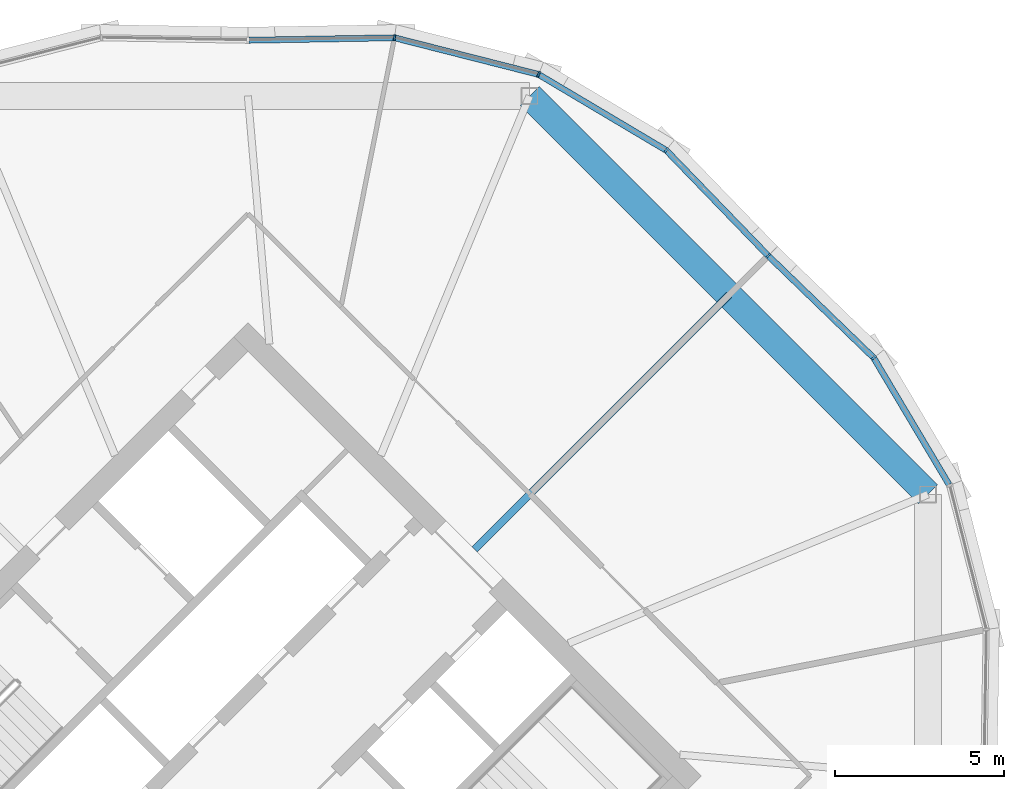
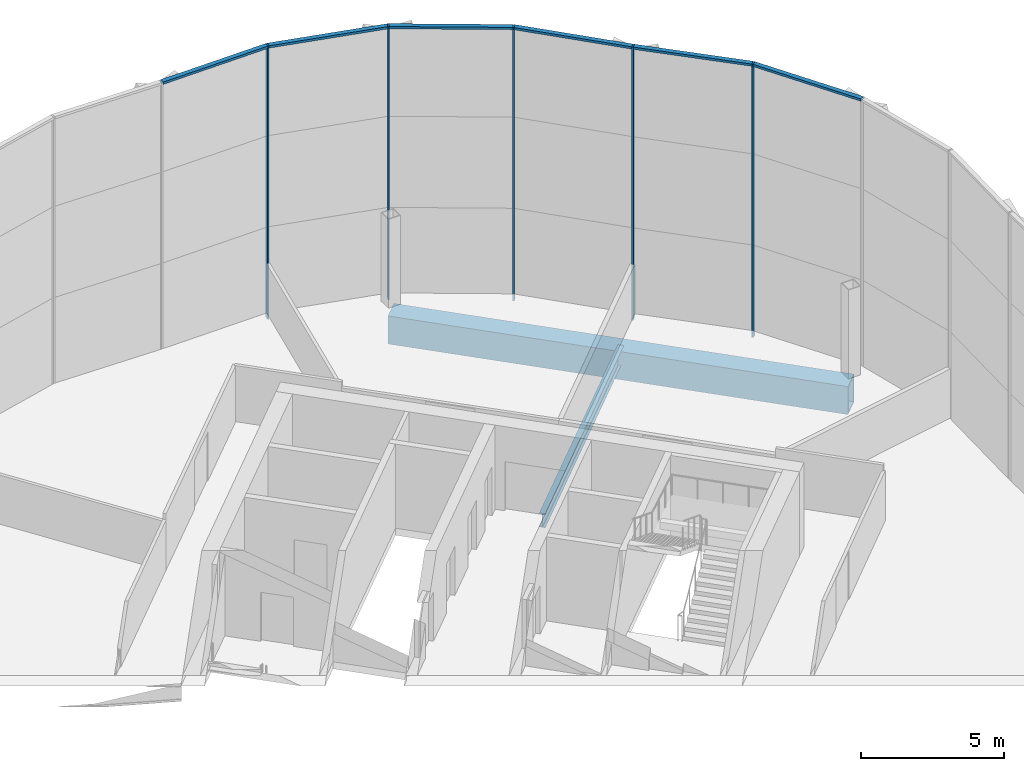
# One storey, part 12 of 23: 11 members, 2 beams, 2 elements without a shape of their own.
"""IFC4 building model written with IfcOpenShell, lengths in metres."""

import ifcopenshell
import ifcopenshell.guid

model = None  # the IFC model being written
_history = None  # IfcOwnerHistory: only IFC2X3 demands one
_inside = {}  # id of a spatial element -> (the spatial element, [elements in it])
_under = {}  # id of a project, library or spatial element -> (it, [spatial elements below it])
_declared = {}  # id of a project -> (the project, [libraries it declares])
_typed = {}  # id of a type object -> (the type object, [elements of that type])
_made_of = {}  # id of a material, layer set ... -> (it, [elements and type objects made of it])


def new_model(schema):
    """Start an empty IFC model of exactly this schema.

    Asked for "IFC4X3", IfcOpenShell would pick the latest addendum, in which some entities
    have other attributes; the version numbers below select the first issue.
    IFC2X3 requires an IfcOwnerHistory on every rooted entity: one is made here for all.
    """
    global model, _history
    if schema == "IFC4X3":
        model = ifcopenshell.file(schema_version=(4, 3, 0, 0))
    else:
        model = ifcopenshell.file(schema=schema)
    _inside.clear()
    _under.clear()
    _declared.clear()
    _typed.clear()
    _made_of.clear()
    _history = None
    if model.schema == "IFC2X3":
        org = make("IfcOrganization", Name="unknown")
        user = make(
            "IfcPersonAndOrganization",
            ThePerson=make("IfcPerson", FamilyName="unknown"),
            TheOrganization=org,
        )
        app = make(
            "IfcApplication",
            ApplicationDeveloper=org,
            Version="unknown",
            ApplicationFullName="unknown",
            ApplicationIdentifier="unknown",
        )
        _history = make(
            "IfcOwnerHistory",
            OwningUser=user,
            OwningApplication=app,
            ChangeAction="ADDED",
            CreationDate=0,
        )
    return model


def make(cls, **values):
    """One entity of the class cls with the attributes given. An attribute that is None is left unset."""
    return model.create_entity(
        cls, **{name: value for name, value in values.items() if value is not None}
    )


def rooted(cls, **values):
    """An entity with a GlobalId (a new one), such as an element, a storey or a relation."""
    return make(cls, GlobalId=ifcopenshell.guid.new(), OwnerHistory=_history, **values)


def si_unit(unit_type, name, prefix=None):
    """IfcSIUnit, for example si_unit("LENGTHUNIT", "METRE", prefix="MILLI")."""
    return make("IfcSIUnit", UnitType=unit_type, Prefix=prefix, Name=name)


def assignment(units):
    """IfcUnitAssignment: the units of a project."""
    return None if units is None else make("IfcUnitAssignment", Units=units)


def point(xyz):
    """IfcCartesianPoint."""
    return None if xyz is None else make("IfcCartesianPoint", Coordinates=xyz)


def direction(xyz):
    """IfcDirection."""
    return None if xyz is None else make("IfcDirection", DirectionRatios=xyz)


def frame(location, z_axis=None, x_axis=None):
    """IfcAxis2Placement3D, a coordinate frame: its origin and axes. An axis left out is left unset."""
    return make(
        "IfcAxis2Placement3D",
        Location=point(location),
        Axis=direction(z_axis),
        RefDirection=direction(x_axis),
    )


def frame_2d(location, x_axis=None):
    """IfcAxis2Placement2D, a coordinate frame in the plane: its origin and x axis."""
    return make(
        "IfcAxis2Placement2D", Location=point(location), RefDirection=direction(x_axis)
    )


def origin():
    """The frame at (0, 0, 0) with its axes left unset."""
    return frame((0.0, 0.0, 0.0))


def origin_2d():
    """The frame at (0, 0) in the plane with its x axis left unset."""
    return frame_2d((0.0, 0.0))


def place(relative_to, where):
    """IfcLocalPlacement: puts the frame where relative to a parent placement (None: the world)."""
    return make(
        "IfcLocalPlacement", PlacementRelTo=relative_to, RelativePlacement=where
    )


def context(
    kind, dimensions, precision=None, world=None, true_north=None, identifier=None
):
    """IfcGeometricRepresentationContext, for example the 3D "Model" context."""
    return make(
        "IfcGeometricRepresentationContext",
        ContextIdentifier=identifier,
        ContextType=kind,
        CoordinateSpaceDimension=dimensions,
        Precision=precision,
        WorldCoordinateSystem=world,
        TrueNorth=true_north,
    )


def subcontext(parent, identifier, kind, view, scale=None):
    """IfcGeometricRepresentationSubContext, for example "Body" below "Model"."""
    return make(
        "IfcGeometricRepresentationSubContext",
        ContextIdentifier=identifier,
        ContextType=kind,
        ParentContext=parent,
        TargetScale=scale,
        TargetView=view,
    )


def project(units=None, contexts=None):
    """IfcProject with its units and contexts."""
    return rooted(
        "IfcProject",
        Name="project",
        RepresentationContexts=contexts,
        UnitsInContext=assignment(units),
    )


def spatial(cls, under=None, at=None, **own):
    """A site, building, storey or space (cls), placed at a placement, below another one or the project."""
    s = rooted(cls, ObjectPlacement=at, **own)
    if under is not None:
        _under.setdefault(under.id(), (under, []))[1].append(s)
    return s


def profile(cls, at=None, kind="AREA", **sizes):
    """A parametric profile (cls). Its sizes go by their IFC names, for example OverallWidth=200.0."""
    return make(cls, ProfileType=kind, Position=at, **sizes)


def rectangle(**sizes):
    """IfcRectangleProfileDef."""
    return profile("IfcRectangleProfileDef", **sizes)


def hollow_rectangle(**sizes):
    """IfcRectangleHollowProfileDef."""
    return profile("IfcRectangleHollowProfileDef", **sizes)


def i_section(**sizes):
    """IfcIShapeProfileDef."""
    return profile("IfcIShapeProfileDef", **sizes)


def extrude(swept, where, along, depth):
    """IfcExtrudedAreaSolid: the profile swept, set in the frame where, extruded along a direction by depth."""
    return make(
        "IfcExtrudedAreaSolid",
        SweptArea=swept,
        Position=where,
        ExtrudedDirection=direction(along),
        Depth=depth,
    )


def shape(context_of_items, identifier, shape_type, items):
    """IfcShapeRepresentation: the items that make up one representation, for example the "Body"."""
    return make(
        "IfcShapeRepresentation",
        ContextOfItems=context_of_items,
        RepresentationIdentifier=identifier,
        RepresentationType=shape_type,
        Items=items,
    )


def material(Name=None, Category=None):
    """IfcMaterial."""
    return make("IfcMaterial", Name=Name, Category=Category)


def material_profile(
    of_material, cross_section, Name=None, Category=None, Priority=None
):
    """IfcMaterialProfile: a cross section and its material."""
    return make(
        "IfcMaterialProfile",
        Name=Name,
        Material=of_material,
        Profile=cross_section,
        Priority=Priority,
        Category=Category,
    )


def profile_set(profiles, Name=None, composite=None):
    """IfcMaterialProfileSet."""
    return make(
        "IfcMaterialProfileSet",
        Name=Name,
        MaterialProfiles=profiles,
        CompositeProfile=composite,
    )


def made_of(thing, what):
    """Note that an element or type object is made of a material, layer set ...; save() writes the relation."""
    if what is not None:
        _made_of.setdefault(what.id(), (what, []))[1].append(thing)
    return thing


def type_object(cls, material=None, **own):
    """A type object (cls), such as IfcWallType, which elements share."""
    return made_of(rooted(cls, **own), material)


def element(
    cls,
    number,
    at=None,
    inside=None,
    cuts=None,
    type_object=None,
    material=None,
    context=None,
    identifier="Body",
    shape_type=None,
    held_by="IfcProductDefinitionShape",
    body=None,
    shapes=None,
    **own,
):
    """One element of the class cls, such as IfcWall. Its Tag is "e" and its number.

    at: its placement. inside: the storey or other place that contains it. cuts: it is an
    opening in that element (IfcRelVoidsElement). A single representation is given by context,
    identifier, shape_type and body (its items); several are given by shapes. held_by: the class
    of the entity that holds the representations. save() writes the other relations.
    """
    e = rooted(cls, Tag="e%d" % number, ObjectPlacement=at, **own)
    if body is not None:
        shapes = [shape(context, identifier, shape_type, body)]
    if shapes is not None:
        e.Representation = make(held_by, Representations=shapes)
    if inside is not None:
        _inside.setdefault(inside.id(), (inside, []))[1].append(e)
    if cuts is not None:
        rooted(
            "IfcRelVoidsElement", RelatingBuildingElement=cuts, RelatedOpeningElement=e
        )
    if type_object is not None:
        _typed.setdefault(type_object.id(), (type_object, []))[1].append(e)
    return made_of(e, material)


def aggregate(whole, parts):
    """IfcRelAggregates: a whole, such as a stair, and the parts it consists of."""
    return rooted("IfcRelAggregates", RelatingObject=whole, RelatedObjects=parts)


def save(model, path):
    """Write the relations noted so far, then the file.

    IfcRelAggregates (storeys below a building ...), IfcRelContainedInSpatialStructure (elements
    in a storey), IfcRelDefinesByType, IfcRelAssociatesMaterial and IfcRelDeclares: one each for
    every whole, place, type object, material and project.
    """
    for whole, parts in _under.values():
        aggregate(whole, parts)
    for where, things in _inside.values():
        rooted(
            "IfcRelContainedInSpatialStructure",
            RelatedElements=things,
            RelatingStructure=where,
        )
    for kind, things in _typed.values():
        rooted("IfcRelDefinesByType", RelatedObjects=things, RelatingType=kind)
    for what, things in _made_of.values():
        rooted("IfcRelAssociatesMaterial", RelatedObjects=things, RelatingMaterial=what)
    for by, libraries in _declared.values():
        rooted("IfcRelDeclares", RelatingContext=by, RelatedDefinitions=libraries)
    model.write(path)


model = new_model("IFC4")

# Units and contexts
model_context = context("Model", 3, precision=1e-05, world=origin(), true_north=direction((0.0, 1.0)))
body_context = subcontext(model_context, "Body", "Model", "MODEL_VIEW")
ifc_project = project(units=[si_unit("LENGTHUNIT", "METRE"), si_unit("AREAUNIT", "SQUARE_METRE"), si_unit("VOLUMEUNIT", "CUBIC_METRE"), si_unit("PLANEANGLEUNIT", "RADIAN"), si_unit("MASSUNIT", "GRAM", prefix="KILO")], contexts=[model_context])

# Site, building, storey
site_placement = place(None, origin())
site = spatial("IfcSite", under=ifc_project, at=site_placement, CompositionType="ELEMENT")
building_placement = place(site_placement, origin())
building = spatial("IfcBuilding", under=site, at=building_placement, Name="Ogive Gate Towers", CompositionType="ELEMENT")
storey_placement = place(building_placement, frame((0.0, 0.0, 177.300048828125)))
storey = spatial("IfcBuildingStorey", under=building, at=storey_placement, Name="L42", CompositionType="ELEMENT", Elevation=177.300048828125)

# Beams
ifc_material_1 = material(Name="Steel SM460", Category="steel")
ifc_material_profile_1 = material_profile(ifc_material_1, hollow_rectangle(XDim=0.800048828125, YDim=1.199951171875, WallThickness=0.050048828125, at=origin_2d()), Name="BX 1200x800x50")
ifc_profile_set_1 = profile_set([ifc_material_profile_1], Name="Steel SM460")
beam_type_1 = type_object("IfcBeamType", Name="Edge girder BX 1200x800x50", PredefinedType="BEAM", material=ifc_profile_set_1)
beam_1_placement = place(storey_placement, frame((56.14990234375, 8.346435546875, -0.900146484375), z_axis=(-0.707106781187, 0.707106781187, 0.0), x_axis=(-0.707106781187, -0.707106781187, 0.0)))
element("IfcBeam", 1, at=beam_1_placement, inside=storey, type_object=beam_type_1, Name="T2/L42/SBM021", PredefinedType="BEAM", context=body_context, shape_type="SweptSolid", body=[
    extrude(hollow_rectangle(XDim=0.800048828125, YDim=1.199951171875, WallThickness=0.050048828125, at=origin_2d()), origin(), (0.0, 0.0, 1.0), 16.692626953125),
])
ifc_material_2 = material(Name="Steel SM355", Category="steel")
ifc_material_profile_2 = material_profile(ifc_material_2, i_section(OverallWidth=0.219970703125, OverallDepth=0.60009765625, WebThickness=0.011962890625, FlangeThickness=0.01904296875, FilletRadius=0.02392578125, at=origin_2d()), Name="IPE 600")
ifc_profile_set_2 = profile_set([ifc_material_profile_2], Name="Steel SM355")
beam_type_2 = type_object("IfcBeamType", Name="Radial floor beam IPE 600", PredefinedType="BEAM", material=ifc_profile_set_2)
beam_2_placement = place(storey_placement, frame((42.717529296875, 6.717529296875, -0.60009765625), z_axis=(0.707106781187, 0.707106781187, 0.0), x_axis=(-0.707106781187, 0.707106781187, 0.0)))
element("IfcBeam", 2, at=beam_2_placement, inside=storey, type_object=beam_type_2, Name="T2/L42/SBM010", PredefinedType="BEAM", context=body_context, shape_type="SweptSolid", body=[
    extrude(i_section(OverallWidth=0.219970703125, OverallDepth=0.60009765625, WebThickness=0.011962890625, FlangeThickness=0.01904296875, FilletRadius=0.02392578125, at=origin_2d()), origin(), (0.0, 0.0, 1.0), 10.649658203125),
])

# Curtain wall, members
ifc_material_3 = material(Name="Pale metal aluminium", Category="aluminium")
curtain_wall_type = type_object("IfcCurtainWallType", Name="Tower unitised wall, high zone", PredefinedType="NOTDEFINED", material=ifc_material_3)
curtain_wall_1_placement = place(storey_placement, origin())
curtain_wall_1 = element("IfcCurtainWall", 3, at=curtain_wall_1_placement, inside=storey, type_object=curtain_wall_type, Name="CW2 T2 ECW01", PredefinedType="NOTDEFINED")
ifc_material_profile_3 = material_profile(ifc_material_3, rectangle(XDim=0.179931640625, YDim=0.06005859375, at=origin_2d()), Name="60 x 180 aluminium box")
ifc_profile_set_3 = profile_set([ifc_material_profile_3], Name="Pale metal aluminium")
member_type_1 = type_object("IfcMemberType", Name="Tower unitised wall, high zone mullion 60 x 180", PredefinedType="MULLION", material=ifc_profile_set_3)
member_1_placement = place(storey_placement, frame((54.538330078125, 12.3955078125, -0.300048828125), z_axis=(0.0, 0.0, 1.0), x_axis=(0.784235212544, 0.620463642292, 0.0)))
member_1 = element("IfcMember", 4, at=member_1_placement, type_object=member_type_1, Name="CW2 mullion", PredefinedType="MULLION", context=body_context, shape_type="SweptSolid", body=[
    extrude(rectangle(XDim=0.179931640625, YDim=0.06005859375, at=origin_2d()), origin(), (0.0, 0.0, 1.0), 11.699951171875),
])
member_2_placement = place(storey_placement, frame((51.4150390625, 15.414794921875, -0.300048828125), z_axis=(0.0, 0.0, 1.0), x_axis=(0.69504746905, 0.71896384872, 0.0)))
member_2 = element("IfcMember", 5, at=member_2_placement, type_object=member_type_1, Name="CW2 mullion", PredefinedType="MULLION", context=body_context, shape_type="SweptSolid", body=[
    extrude(rectangle(XDim=0.179931640625, YDim=0.06005859375, at=origin_2d()), origin(), (0.0, 0.0, 1.0), 11.699951171875),
])

curtain_wall_2_placement = place(storey_placement, origin())
curtain_wall_2 = element("IfcCurtainWall", 6, at=curtain_wall_2_placement, inside=storey, type_object=curtain_wall_type, Name="CW2 T2 ECW02", PredefinedType="NOTDEFINED")
member_3_placement = place(storey_placement, frame((48.3955078125, 18.538330078125, -0.300048828125), z_axis=(0.0, 0.0, 1.0), x_axis=(0.620463642292, 0.784235212544, 0.0)))
member_3 = element("IfcMember", 7, at=member_3_placement, type_object=member_type_1, Name="CW2 mullion", PredefinedType="MULLION", context=body_context, shape_type="SweptSolid", body=[
    extrude(rectangle(XDim=0.179931640625, YDim=0.06005859375, at=origin_2d()), origin(), (0.0, 0.0, 1.0), 11.699951171875),
])
member_4_placement = place(storey_placement, frame((44.61083984375, 20.788330078125, -0.300048828125), z_axis=(0.0, 0.0, 1.0), x_axis=(0.382683432365, 0.923879532511, 0.0)))
member_4 = element("IfcMember", 8, at=member_4_placement, type_object=member_type_1, Name="CW2 mullion", PredefinedType="MULLION", context=body_context, shape_type="SweptSolid", body=[
    extrude(rectangle(XDim=0.179931640625, YDim=0.06005859375, at=origin_2d()), origin(), (0.0, 0.0, 1.0), 11.699951171875),
])
member_5_placement = place(storey_placement, frame((40.343505859375, 21.87353515625, -0.300048828125), z_axis=(0.0, 0.0, 1.0), x_axis=(0.115803987891, 0.993272085779, 0.0)))
member_5 = element("IfcMember", 9, at=member_5_placement, type_object=member_type_1, Name="CW2 mullion", PredefinedType="MULLION", context=body_context, shape_type="SweptSolid", body=[
    extrude(rectangle(XDim=0.179931640625, YDim=0.06005859375, at=origin_2d()), origin(), (0.0, 0.0, 1.0), 11.699951171875),
])

# Member
ifc_material_profile_4 = material_profile(ifc_material_3, rectangle(XDim=0.179931640625, YDim=0.10009765625, at=origin_2d()), Name="100 x 180 aluminium box")
ifc_profile_set_4 = profile_set([ifc_material_profile_4], Name="Pale metal aluminium")
member_type_2 = type_object("IfcMemberType", Name="Tower unitised wall, high zone transom 100 x 180", PredefinedType="USERDEFINED", material=ifc_profile_set_4)
member_6_placement = place(storey_placement, frame((56.773681640625, 8.63525390625, 11.349853515625), z_axis=(-0.511038375885, 0.859557897045, 0.0), x_axis=(-0.859557897045, -0.511038375885, 0.0)))
member_6 = element("IfcMember", 10, at=member_6_placement, type_object=member_type_2, Name="CW2 transom", ObjectType="TRANSOM", PredefinedType="USERDEFINED", context=body_context, shape_type="SweptSolid", body=[
    extrude(rectangle(XDim=0.179931640625, YDim=0.10009765625, at=origin_2d()), origin(), (0.0, 0.0, 1.0), 4.345947265625),
])

member_7_placement = place(storey_placement, frame((54.517578125, 12.41552734375, 11.349853515625), z_axis=(-0.718969396477, 0.695041730351, 0.0), x_axis=(-0.695041730351, -0.718969396477, 0.0)))
member_7 = element("IfcMember", 11, at=member_7_placement, type_object=member_type_2, Name="CW2 transom", ObjectType="TRANSOM", PredefinedType="USERDEFINED", context=body_context, shape_type="SweptSolid", body=[
    extrude(rectangle(XDim=0.179931640625, YDim=0.10009765625, at=origin_2d()), origin(), (0.0, 0.0, 1.0), 4.285400390625),
])

aggregate(curtain_wall_1, [member_1, member_6, member_2, member_7])

member_8_placement = place(storey_placement, frame((51.39404296875, 15.4365234375, 11.349853515625), z_axis=(-0.695041730351, 0.718969396477, 0.0), x_axis=(-0.718969396477, -0.695041730351, 0.0)))
member_8 = element("IfcMember", 12, at=member_8_placement, type_object=member_type_2, Name="CW2 transom", ObjectType="TRANSOM", PredefinedType="USERDEFINED", context=body_context, shape_type="SweptSolid", body=[
    extrude(rectangle(XDim=0.179931640625, YDim=0.10009765625, at=origin_2d()), origin(), (0.0, 0.0, 1.0), 4.285400390625),
])

member_9_placement = place(storey_placement, frame((48.370849609375, 18.552734375, 11.349853515625), z_axis=(-0.859557897045, 0.511038375885, 0.0), x_axis=(-0.511038375885, -0.859557897045, 0.0)))
member_9 = element("IfcMember", 13, at=member_9_placement, type_object=member_type_2, Name="CW2 transom", ObjectType="TRANSOM", PredefinedType="USERDEFINED", context=body_context, shape_type="SweptSolid", body=[
    extrude(rectangle(XDim=0.179931640625, YDim=0.10009765625, at=origin_2d()), origin(), (0.0, 0.0, 1.0), 4.345947265625),
])

member_10_placement = place(storey_placement, frame((44.5830078125, 20.795166015625, 11.349853515625), z_axis=(-0.969143060412, 0.246498942099, 0.0), x_axis=(-0.246498942099, -0.969143060412, 0.0)))
member_10 = element("IfcMember", 14, at=member_10_placement, type_object=member_type_2, Name="CW2 transom", ObjectType="TRANSOM", PredefinedType="USERDEFINED", context=body_context, shape_type="SweptSolid", body=[
    extrude(rectangle(XDim=0.179931640625, YDim=0.10009765625, at=origin_2d()), origin(), (0.0, 0.0, 1.0), 4.345947265625),
])

member_11_placement = place(storey_placement, frame((40.314697265625, 21.873046875, 11.349853515625), z_axis=(-0.999856819171, -0.016921618058, 0.0), x_axis=(0.016921618058, -0.999856819171, 0.0)))
member_11 = element("IfcMember", 15, at=member_11_placement, type_object=member_type_2, Name="CW2 transom", ObjectType="TRANSOM", PredefinedType="USERDEFINED", context=body_context, shape_type="SweptSolid", body=[
    extrude(rectangle(XDim=0.179931640625, YDim=0.10009765625, at=origin_2d()), origin(), (0.0, 0.0, 1.0), 4.28515625),
])

aggregate(curtain_wall_2, [member_3, member_8, member_4, member_9, member_5, member_10, member_11])

save(model, "model.ifc")
